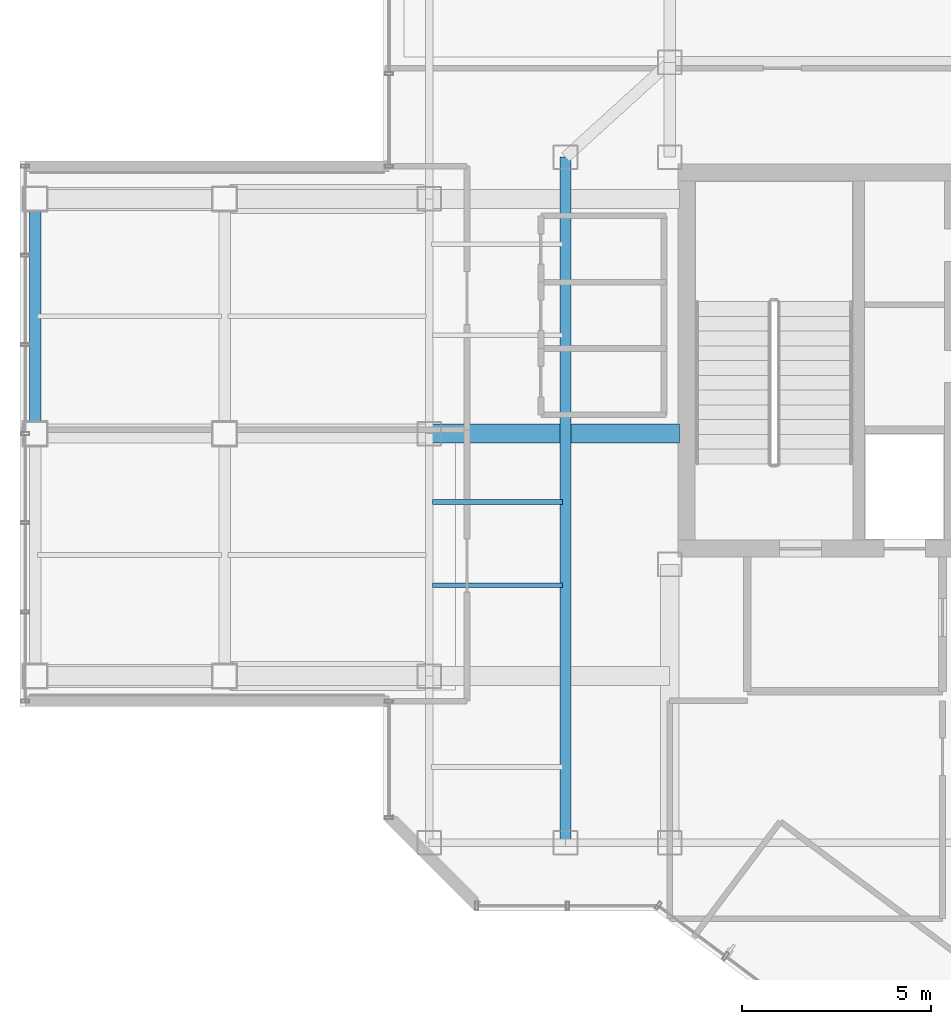
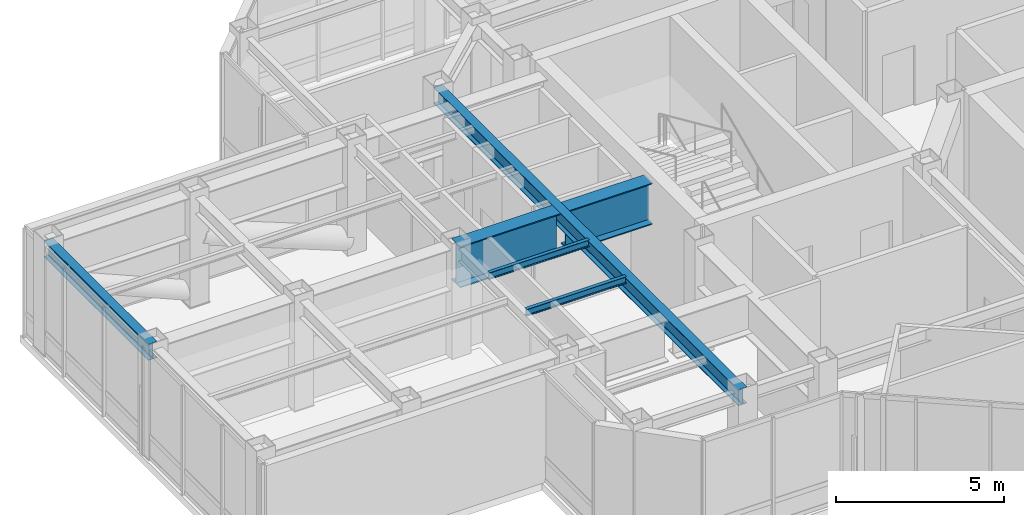
# One storey, part 6 of 22: 6 beams.
"""IFC4 building model written with IfcOpenShell, lengths in metres."""

from ifc_helpers import new_model, si_unit, direction, frame, origin, origin_2d, place, context, subcontext, project, spatial, i_section, extrude, material, material_profile, profile_set, type_object, element, save


model = new_model("IFC4")

# Units and contexts
model_context = context("Model", 3, precision=1e-05, world=origin(), true_north=direction((0.0, 1.0)))
body_context = subcontext(model_context, "Body", "Model", "MODEL_VIEW")
ifc_project = project(units=[si_unit("LENGTHUNIT", "METRE"), si_unit("AREAUNIT", "SQUARE_METRE"), si_unit("VOLUMEUNIT", "CUBIC_METRE"), si_unit("PLANEANGLEUNIT", "RADIAN"), si_unit("MASSUNIT", "GRAM", prefix="KILO")], contexts=[model_context])

# Site, building, storey
site_placement = place(None, origin())
site = spatial("IfcSite", under=ifc_project, at=site_placement, CompositionType="ELEMENT")
building_placement = place(site_placement, origin())
building = spatial("IfcBuilding", under=site, at=building_placement, Name="Hatsunagi Terrace Concourse", CompositionType="ELEMENT")
storey_placement = place(building_placement, frame((0.0, 0.0, 257.550048828125)))
storey = spatial("IfcBuildingStorey", under=building, at=storey_placement, Name="L68", CompositionType="ELEMENT", Elevation=257.550048828125)

# Beams
ifc_material_1 = material(Name="Steel SN490B", Category="steel")
ifc_material_profile_1 = material_profile(ifc_material_1, i_section(OverallWidth=0.125, OverallDepth=0.25, WebThickness=0.006103515625, FlangeThickness=0.009033203125, FilletRadius=0.008056640625, at=origin_2d()), Name="H-250x125x6x9")
ifc_profile_set_1 = profile_set([ifc_material_profile_1], Name="Steel SN490B")
beam_type_1 = type_object("IfcBeamType", Name="CrownJoist_H_250x125", PredefinedType="JOIST", material=ifc_profile_set_1)
for number, where, z_axis, x_axis, name in (
    (1, (19.284912109375, 32.0, 3.824951171875), (1.0, 0.0, 0.0), (0.0, 1.0, 0.0), "Beam J-04 J-L68-W-19-320"),
    (2, (19.284912109375, 34.199951171875, 3.824951171875), (1.0, 0.0, 0.0), (0.0, 1.0, 0.0), "Beam J-04 J-L68-W-19-342"),
):
    element("IfcBeam", number, at=place(storey_placement, frame(where, z_axis=z_axis, x_axis=x_axis)), inside=storey, type_object=beam_type_1, Name=name, PredefinedType="JOIST", context=body_context, shape_type="SweptSolid", body=[
        extrude(i_section(OverallWidth=0.125, OverallDepth=0.25, WebThickness=0.006103515625, FlangeThickness=0.009033203125, FilletRadius=0.008056640625, at=origin_2d()), origin(), (0.0, 0.0, 1.0), 3.43017578125),
    ])
ifc_material_2 = material(Name="Steel SN490B", Category="steel")
ifc_material_profile_2 = material_profile(ifc_material_2, i_section(OverallWidth=0.300048828125, OverallDepth=0.587890625, WebThickness=0.011962890625, FlangeThickness=0.02001953125, FilletRadius=0.01806640625, at=origin_2d()), Name="H-588x300x12x20")
ifc_profile_set_2 = profile_set([ifc_material_profile_2], Name="Steel SN490B")
beam_type_2 = type_object("IfcBeamType", Name="OfficeHighGirder_H_588x300", PredefinedType="BEAM", material=ifc_profile_set_2)
beam_1_placement = place(storey_placement, frame((8.800048828125, 36.0, 3.656005859375), z_axis=(0.0, 1.0, 0.0), x_axis=(-1.0, 0.0, 0.0)))
element("IfcBeam", 3, at=beam_1_placement, inside=storey, type_object=beam_type_2, Name="Beam G-06 SLT-L68-NS-2B", PredefinedType="BEAM", context=body_context, shape_type="SweptSolid", body=[
    extrude(i_section(OverallWidth=0.300048828125, OverallDepth=0.587890625, WebThickness=0.011962890625, FlangeThickness=0.02001953125, FilletRadius=0.01806640625, at=origin_2d()), origin(), (0.0, 0.0, 1.0), 6.199951171875),
])
beam_2_placement = place(storey_placement, frame((22.800048828125, 25.199951171875, 3.656005859375), z_axis=(0.0, 1.0, 0.0), x_axis=(-1.0, 0.0, 0.0)))
element("IfcBeam", 4, at=beam_2_placement, inside=storey, type_object=beam_type_2, Name="Beam G-06 BM-L68-CWNS", PredefinedType="BEAM", context=body_context, shape_type="SweptSolid", body=[
    extrude(i_section(OverallWidth=0.300048828125, OverallDepth=0.587890625, WebThickness=0.011962890625, FlangeThickness=0.02001953125, FilletRadius=0.01806640625, at=origin_2d()), origin(), (0.0, 0.0, 1.0), 18.10009765625),
])
ifc_material_3 = material(Name="Steel SN490C", Category="steel")
ifc_material_profile_3 = material_profile(ifc_material_3, i_section(OverallWidth=0.5, OverallDepth=1.5, WebThickness=0.028076171875, FlangeThickness=0.0380859375, at=origin_2d()), Name="BH-1500x500x28x38")
ifc_profile_set_3 = profile_set([ifc_material_profile_3], Name="Steel SN490C")
beam_type_3 = type_object("IfcBeamType", Name="SkyLoungeTrussGirder_BH_1500x500x28x38", PredefinedType="USERDEFINED", material=ifc_profile_set_3)
beam_3_placement = place(storey_placement, frame((25.81005859375, 36.0, 3.199951171875), z_axis=(-1.0, 0.0, 0.0), x_axis=(0.0, -1.0, 0.0)))
element("IfcBeam", 5, at=beam_3_placement, inside=storey, type_object=beam_type_3, Name="Transfer girder SLT-01 SLT-L68-BS-2", ObjectType="TRANSFER_GIRDER", PredefinedType="USERDEFINED", context=body_context, shape_type="SweptSolid", body=[
    extrude(i_section(OverallWidth=0.5, OverallDepth=1.5, WebThickness=0.028076171875, FlangeThickness=0.0380859375, at=origin_2d()), origin(), (0.0, 0.0, 1.0), 2.860107421875),
])
beam_4_placement = place(storey_placement, frame((22.64990234375, 36.0, 3.199951171875), z_axis=(-1.0, 0.0, 0.0), x_axis=(0.0, -1.0, 0.0)))
element("IfcBeam", 6, at=beam_4_placement, inside=storey, type_object=beam_type_3, Name="Transfer girder SLT-01 SLT-L68-BSW-2", ObjectType="TRANSFER_GIRDER", PredefinedType="USERDEFINED", context=body_context, shape_type="SweptSolid", body=[
    extrude(i_section(OverallWidth=0.5, OverallDepth=1.5, WebThickness=0.028076171875, FlangeThickness=0.0380859375, at=origin_2d()), origin(), (0.0, 0.0, 1.0), 3.449951171875),
])

save(model, "model.ifc")
